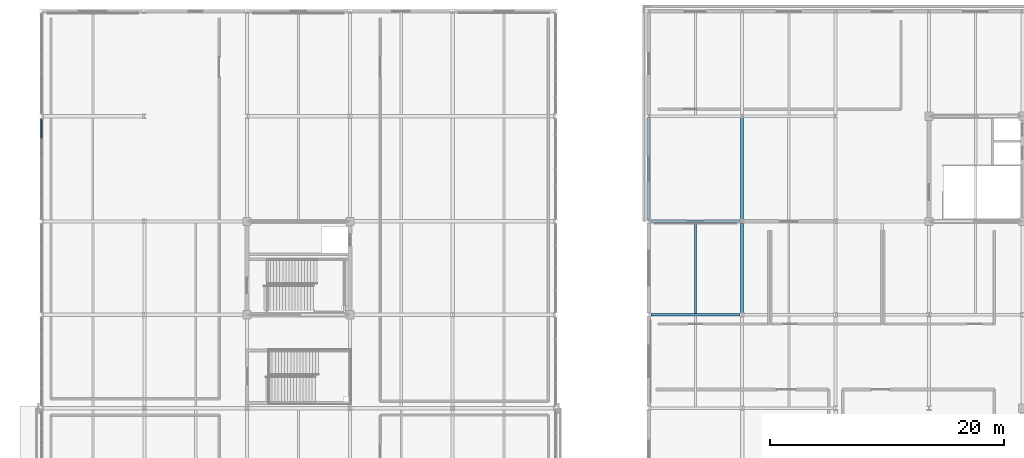
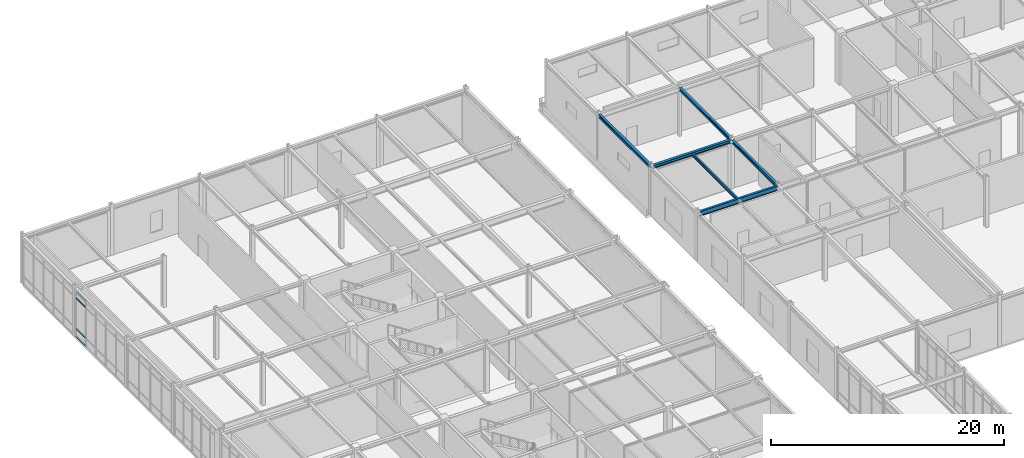
# One storey, part 43 of 108: 6 beams, 4 members, 1 element without a shape of its own.
"""IFC4 building model written with IfcOpenShell, lengths in metres."""

from ifc_helpers import new_model, si_unit, direction, frame, origin, origin_2d, place, context, subcontext, project, spatial, rectangle, i_section, extrude, material, material_profile, profile_set, type_object, element, aggregate, save


model = new_model("IFC4")

# Units and contexts
model_context = context("Model", 3, precision=1e-05, world=origin(), true_north=direction((0.0, 1.0)))
body_context = subcontext(model_context, "Body", "Model", "MODEL_VIEW")
ifc_project = project(units=[si_unit("LENGTHUNIT", "METRE"), si_unit("AREAUNIT", "SQUARE_METRE"), si_unit("VOLUMEUNIT", "CUBIC_METRE"), si_unit("PLANEANGLEUNIT", "RADIAN"), si_unit("MASSUNIT", "GRAM", prefix="KILO")], contexts=[model_context])

# Site, building, storey
site_placement = place(None, origin())
site = spatial("IfcSite", under=ifc_project, at=site_placement, CompositionType="ELEMENT")
building_placement = place(site_placement, origin())
building = spatial("IfcBuilding", under=site, at=building_placement, Name="Zhaolan Boulevard Law Courts", CompositionType="ELEMENT")
storey_placement = place(building_placement, frame((0.0, 0.0, 10.800048828125)))
storey = spatial("IfcBuildingStorey", under=building, at=storey_placement, Name="L02", CompositionType="ELEMENT", Elevation=10.800048828125)

# Curtain wall, members
ifc_material_1 = material(Name="Thermally broken aluminium and low-E glazing", Category="aluminium")
curtain_wall_type = type_object("IfcCurtainWallType", Name="CURTAIN WALL M21", PredefinedType="USERDEFINED", material=ifc_material_1)
curtain_wall_placement = place(storey_placement, origin())
curtain_wall = element("IfcCurtainWall", 1, at=curtain_wall_placement, inside=storey, type_object=curtain_wall_type, Name="Curtain Wall CW-L02-117", ObjectType="CURTAIN WALL", PredefinedType="USERDEFINED")
ifc_material_2 = material(Name="Fluorocarbon-coated aluminium 6063-T6", Category="aluminium")
ifc_material_profile_1 = material_profile(ifc_material_2, rectangle(XDim=0.139892578125, YDim=0.06494140625, at=origin_2d()), Name="AL65x140")
ifc_profile_set_1 = profile_set([ifc_material_profile_1], Name="Fluorocarbon-coated aluminium 6063-T6")
member_type = type_object("IfcMemberType", Name="CWTRANSOM 65X140", PredefinedType="USERDEFINED", material=ifc_profile_set_1)
member_1_placement = place(storey_placement, frame((0.0, 102.758056640625, 0.032470703125), z_axis=(0.0, -1.0, 0.0), x_axis=(1.0, 0.0, 0.0)))
member_1 = element("IfcMember", 2, at=member_1_placement, type_object=member_type, Name="CW-L02-117 transom 1.1", ObjectType="TRANSOM", PredefinedType="USERDEFINED", context=body_context, shape_type="SweptSolid", body=[
    extrude(rectangle(XDim=0.139892578125, YDim=0.06494140625, at=origin_2d()), origin(), (0.0, 0.0, 1.0), 1.6318359375),
])
member_2_placement = place(storey_placement, frame((0.0, 102.758056640625, 0.89990234375), z_axis=(0.0, -1.0, 0.0), x_axis=(1.0, 0.0, 0.0)))
member_2 = element("IfcMember", 3, at=member_2_placement, type_object=member_type, Name="CW-L02-117 transom 1.2", ObjectType="TRANSOM", PredefinedType="USERDEFINED", context=body_context, shape_type="SweptSolid", body=[
    extrude(rectangle(XDim=0.139892578125, YDim=0.06494140625, at=origin_2d()), origin(), (0.0, 0.0, 1.0), 1.6318359375),
])
member_3_placement = place(storey_placement, frame((0.0, 102.758056640625, 4.113037109375), z_axis=(0.0, -1.0, 0.0), x_axis=(1.0, 0.0, 0.0)))
member_3 = element("IfcMember", 4, at=member_3_placement, type_object=member_type, Name="CW-L02-117 transom 1.3", ObjectType="TRANSOM", PredefinedType="USERDEFINED", context=body_context, shape_type="SweptSolid", body=[
    extrude(rectangle(XDim=0.139892578125, YDim=0.06494140625, at=origin_2d()), origin(), (0.0, 0.0, 1.0), 1.6318359375),
])
member_4_placement = place(storey_placement, frame((0.0, 102.758056640625, 4.73046875), z_axis=(0.0, -1.0, 0.0), x_axis=(1.0, 0.0, 0.0)))
member_4 = element("IfcMember", 5, at=member_4_placement, type_object=member_type, Name="CW-L02-117 transom 1.4", ObjectType="TRANSOM", PredefinedType="USERDEFINED", context=body_context, shape_type="SweptSolid", body=[
    extrude(rectangle(XDim=0.139892578125, YDim=0.06494140625, at=origin_2d()), origin(), (0.0, 0.0, 1.0), 1.6318359375),
])
aggregate(curtain_wall, [member_1, member_2, member_3, member_4])

# Beams
ifc_material_3 = material(Name="Structural steel Q355B", Category="steel")
ifc_material_profile_2 = material_profile(ifc_material_3, i_section(OverallWidth=0.25, OverallDepth=0.340087890625, WebThickness=0.009033203125, FlangeThickness=0.013916015625, FilletRadius=0.01611328125, at=origin_2d()), Name="HM340x250")
ifc_profile_set_2 = profile_set([ifc_material_profile_2], Name="Structural steel Q355B")
beam_type_1 = type_object("IfcBeamType", Name="GIRDER HM340", PredefinedType="BEAM", material=ifc_profile_set_2)
beam_1_placement = place(storey_placement, frame((52.0, 94.1708984375, 4.968017578125), z_axis=(0.0, 1.0, 0.0), x_axis=(-1.0, 0.0, 0.0)))
element("IfcBeam", 6, at=beam_1_placement, inside=storey, type_object=beam_type_1, Name="Beam BY-L03-7-N-P", PredefinedType="BEAM", context=body_context, shape_type="SweptSolid", body=[
    extrude(i_section(OverallWidth=0.25, OverallDepth=0.340087890625, WebThickness=0.009033203125, FlangeThickness=0.013916015625, FilletRadius=0.01611328125, at=origin_2d()), origin(), (0.0, 0.0, 1.0), 8.7080078125),
])
beam_2_placement = place(storey_placement, frame((60.0, 86.1708984375, 4.947998046875), z_axis=(0.0, 1.0, 0.0), x_axis=(-1.0, 0.0, 0.0)))
element("IfcBeam", 7, at=beam_2_placement, inside=storey, type_object=beam_type_1, Name="Beam BY-L03-8-M-N", PredefinedType="BEAM", context=body_context, shape_type="SweptSolid", body=[
    extrude(i_section(OverallWidth=0.25, OverallDepth=0.340087890625, WebThickness=0.009033203125, FlangeThickness=0.013916015625, FilletRadius=0.01611328125, at=origin_2d()), origin(), (0.0, 0.0, 1.0), 7.658203125),
])
beam_3_placement = place(storey_placement, frame((60.0, 94.1708984375, 4.968017578125), z_axis=(0.0, 1.0, 0.0), x_axis=(-1.0, 0.0, 0.0)))
element("IfcBeam", 8, at=beam_3_placement, inside=storey, type_object=beam_type_1, Name="Beam BY-L03-8-N-P", PredefinedType="BEAM", context=body_context, shape_type="SweptSolid", body=[
    extrude(i_section(OverallWidth=0.25, OverallDepth=0.340087890625, WebThickness=0.009033203125, FlangeThickness=0.013916015625, FilletRadius=0.01611328125, at=origin_2d()), origin(), (0.0, 0.0, 1.0), 8.7080078125),
])
ifc_material_4 = material(Name="Structural steel Q355B", Category="steel")
ifc_material_profile_3 = material_profile(ifc_material_4, i_section(OverallWidth=0.199951171875, OverallDepth=0.5, WebThickness=0.010009765625, FlangeThickness=0.01611328125, FilletRadius=0.01806640625, at=origin_2d()), Name="HN500x200")
ifc_profile_set_3 = profile_set([ifc_material_profile_3], Name="Structural steel Q355B")
beam_type_2 = type_object("IfcBeamType", Name="GIRDER HN500", PredefinedType="BEAM", material=ifc_profile_set_3)
beam_4_placement = place(storey_placement, frame((52.1708984375, 86.0, 4.867919921875), z_axis=(1.0, 0.0, 0.0), x_axis=(0.0, 1.0, 0.0)))
element("IfcBeam", 9, at=beam_4_placement, inside=storey, type_object=beam_type_2, Name="Beam BX-L03-7-8-M", PredefinedType="BEAM", context=body_context, shape_type="SweptSolid", body=[
    extrude(i_section(OverallWidth=0.199951171875, OverallDepth=0.5, WebThickness=0.010009765625, FlangeThickness=0.01611328125, FilletRadius=0.01806640625, at=origin_2d()), origin(), (0.0, 0.0, 1.0), 7.658203125),
])
ifc_material_5 = material(Name="Structural steel Q355B", Category="steel")
ifc_material_profile_4 = material_profile(ifc_material_5, i_section(OverallWidth=0.14990234375, OverallDepth=0.300048828125, WebThickness=0.006591796875, FlangeThickness=0.009033203125, FilletRadius=0.010986328125, at=origin_2d()), Name="HN300x150")
ifc_profile_set_4 = profile_set([ifc_material_profile_4], Name="Structural steel Q355B")
beam_type_3 = type_object("IfcBeamType", Name="JOIST HN300", PredefinedType="JOIST", material=ifc_profile_set_4)
beam_5_placement = place(storey_placement, frame((56.0, 86.095947265625, 4.968017578125), z_axis=(0.0, 1.0, 0.0), x_axis=(-1.0, 0.0, 0.0)))
element("IfcBeam", 10, at=beam_5_placement, inside=storey, type_object=beam_type_3, Name="Composite Joist J-L03-7M", PredefinedType="JOIST", context=body_context, shape_type="SweptSolid", body=[
    extrude(i_section(OverallWidth=0.14990234375, OverallDepth=0.300048828125, WebThickness=0.006591796875, FlangeThickness=0.009033203125, FilletRadius=0.010986328125, at=origin_2d()), origin(), (0.0, 0.0, 1.0), 7.782958984375),
])
ifc_material_6 = material(Name="Structural steel Q355B", Category="steel")
ifc_material_profile_5 = material_profile(ifc_material_6, i_section(OverallWidth=0.25, OverallDepth=0.340087890625, WebThickness=0.009033203125, FlangeThickness=0.013916015625, FilletRadius=0.01611328125, at=origin_2d()), Name="HM340x250")
ifc_profile_set_5 = profile_set([ifc_material_profile_5], Name="Structural steel Q355B")
beam_type_4 = type_object("IfcBeamType", Name="SPANDREL HM340", PredefinedType="SPANDREL", material=ifc_profile_set_5)
beam_6_placement = place(storey_placement, frame((52.1708984375, 94.0, 4.947998046875), z_axis=(1.0, 0.0, 0.0), x_axis=(0.0, 1.0, 0.0)))
element("IfcBeam", 11, at=beam_6_placement, inside=storey, type_object=beam_type_4, Name="Beam BX-L03-7-8-N", PredefinedType="SPANDREL", context=body_context, shape_type="SweptSolid", body=[
    extrude(i_section(OverallWidth=0.25, OverallDepth=0.340087890625, WebThickness=0.009033203125, FlangeThickness=0.013916015625, FilletRadius=0.01611328125, at=origin_2d()), origin(), (0.0, 0.0, 1.0), 7.658203125),
])

save(model, "model.ifc")
